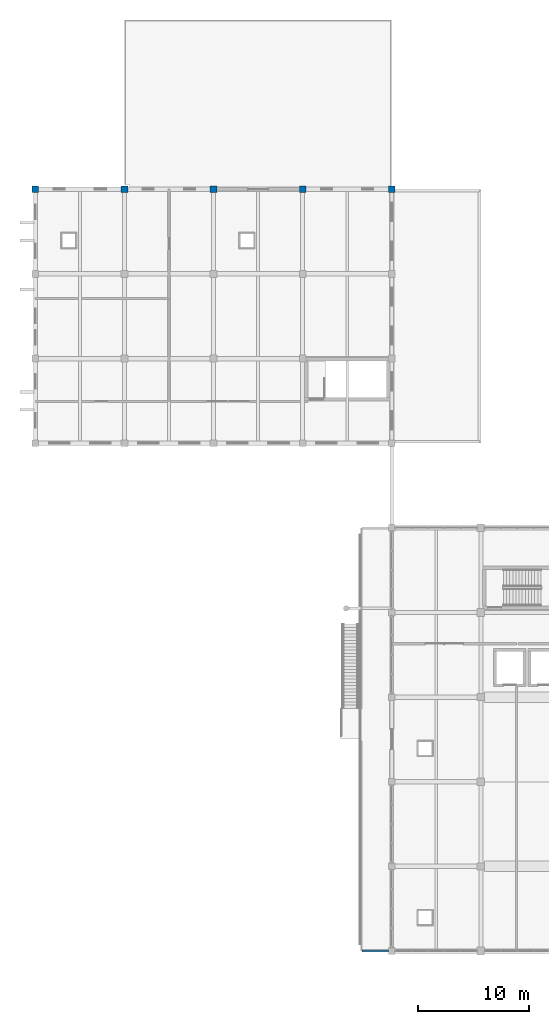
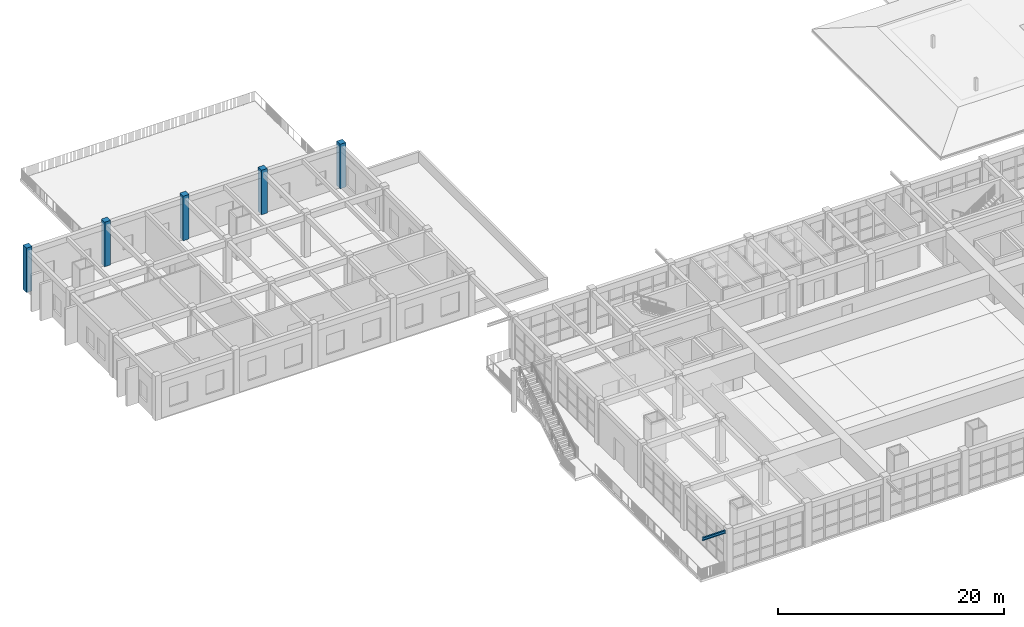
# One storey, part 3 of 50: 5 columns, 1 beam.
"""IFC4 building model written with IfcOpenShell, lengths in metres."""

from ifc_helpers import new_model, si_unit, direction, frame, origin, origin_2d, place, context, subcontext, project, spatial, rectangle, i_section, extrude, material, material_profile, profile_set, type_object, element, save


model = new_model("IFC4")

# Units and contexts
model_context = context("Model", 3, precision=1e-05, world=origin(), true_north=direction((0.0, 1.0)))
body_context = subcontext(model_context, "Body", "Model", "MODEL_VIEW")
ifc_project = project(units=[si_unit("LENGTHUNIT", "METRE"), si_unit("AREAUNIT", "SQUARE_METRE"), si_unit("VOLUMEUNIT", "CUBIC_METRE"), si_unit("PLANEANGLEUNIT", "RADIAN"), si_unit("MASSUNIT", "GRAM", prefix="KILO")], contexts=[model_context])

# Site, building, storey
site_placement = place(None, origin())
site = spatial("IfcSite", under=ifc_project, at=site_placement, CompositionType="ELEMENT")
building_placement = place(site_placement, origin())
building = spatial("IfcBuilding", under=site, at=building_placement, Name="Zantavel Square City Hall", CompositionType="ELEMENT")
storey_placement = place(building_placement, frame((0.0, 0.0, 18.89990234375)))
storey = spatial("IfcBuildingStorey", under=building, at=storey_placement, Name="L05", CompositionType="ELEMENT", Elevation=18.89990234375)

# Columns
ifc_material_1 = material(Name="Concrete C40/50", Category="concrete")
ifc_material_profile_1 = material_profile(ifc_material_1, rectangle(XDim=0.60009765625, YDim=0.60009765625, at=origin_2d()), Name="RC 600x600")
ifc_profile_set_1 = profile_set([ifc_material_profile_1], Name="Concrete C40/50")
column_type = type_object("IfcColumnType", Name="Column RC 600x600 C40/50", PredefinedType="COLUMN", material=ifc_profile_set_1)
for number, where, z_axis, x_axis, name in (
    (1, (24.0, 98.800048828125, 0.0), (0.0, 0.0, 1.0), (1.0, 0.0, 0.0), "L05 Column COL-L05-0240-0988"),
    (2, (32.0, 98.800048828125, 0.0), (0.0, 0.0, 1.0), (1.0, 0.0, 0.0), "L05 Column COL-L05-0320-0988"),
    (3, (40.0, 98.800048828125, 0.0), (0.0, 0.0, 1.0), (1.0, 0.0, 0.0), "L05 Column COL-L05-0400-0988"),
    (4, (48.0, 98.800048828125, 0.0), (0.0, 0.0, 1.0), (1.0, 0.0, 0.0), "L05 Column COL-L05-0480-0988"),
    (5, (56.0, 98.800048828125, 0.0), (0.0, 0.0, 1.0), (1.0, 0.0, 0.0), "L05 Column COL-L05-0560-0988"),
):
    element("IfcColumn", number, at=place(storey_placement, frame(where, z_axis=z_axis, x_axis=x_axis)), inside=storey, type_object=column_type, Name=name, PredefinedType="COLUMN", context=body_context, shape_type="SweptSolid", body=[
        extrude(rectangle(XDim=0.60009765625, YDim=0.60009765625, at=origin_2d()), origin(), (0.0, 0.0, 1.0), 4.800048828125),
    ])

# Beam
ifc_material_2 = material(Name="Steel ASTM A992 Grade 50", Category="steel")
ifc_material_profile_2 = material_profile(ifc_material_2, i_section(OverallWidth=0.1669921875, OverallDepth=0.31689453125, WebThickness=0.007568359375, FlangeThickness=0.01318359375, at=origin_2d()), Name="W310x52")
ifc_profile_set_2 = profile_set([ifc_material_profile_2], Name="Steel ASTM A992 Grade 50")
beam_type = type_object("IfcBeamType", Name="Tray Corner Cantilever Outrigger W310x52", PredefinedType="BEAM", material=ifc_profile_set_2)
beam_placement = place(storey_placement, frame((55.699951171875, 30.39990234375, 4.361572265625), z_axis=(-1.0, 0.0, 0.0), x_axis=(0.0, -1.0, 0.0)))
element("IfcBeam", 6, at=beam_placement, inside=storey, type_object=beam_type, Name="L05 Cantera Tray Outrigger SW", PredefinedType="BEAM", context=body_context, shape_type="SweptSolid", body=[
    extrude(i_section(OverallWidth=0.1669921875, OverallDepth=0.31689453125, WebThickness=0.007568359375, FlangeThickness=0.01318359375, at=origin_2d()), origin(), (0.0, 0.0, 1.0), 2.349853515625),
])

save(model, "model.ifc")
